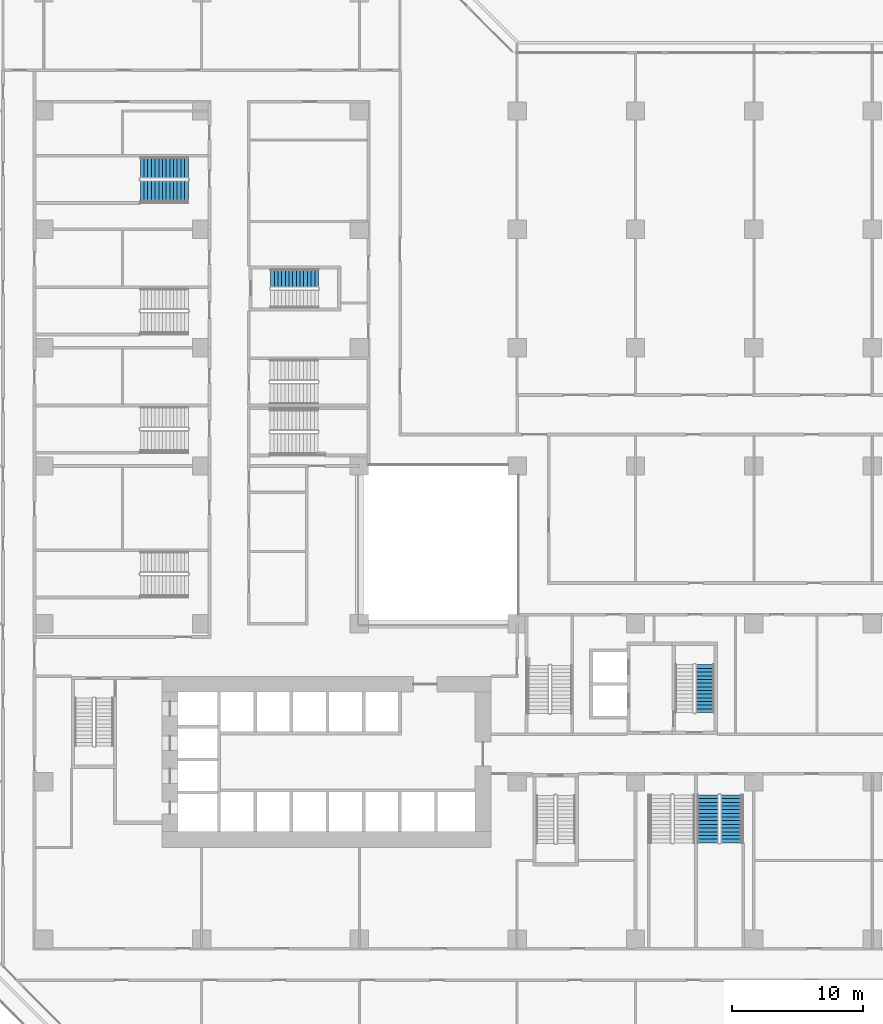
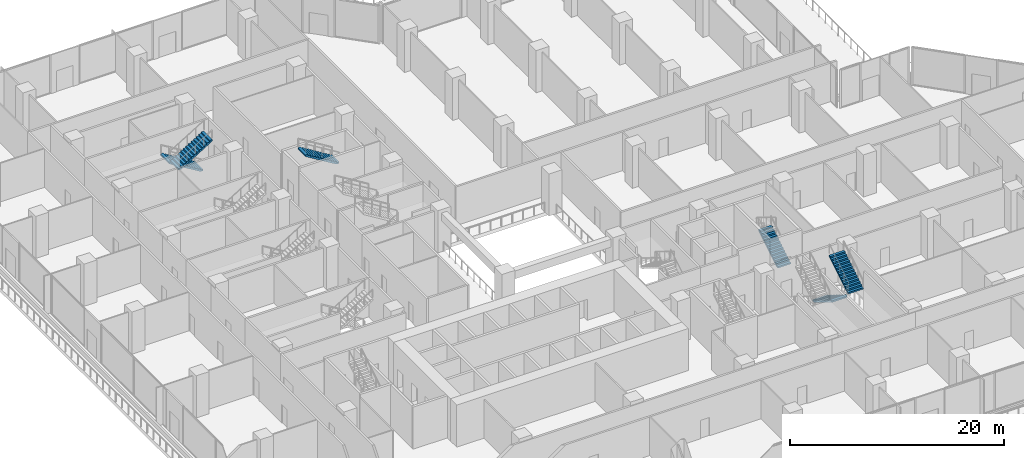
# One storey, part 24 of 31: 6 stair flights, 4 elements without a shape of their own.
"""IFC4 building model written with IfcOpenShell, lengths in metres."""

from ifc_helpers import new_model, si_unit, direction, frame, origin, place, context, subcontext, project, spatial, polyline, outline, extrude, material, type_object, element, aggregate, save


model = new_model("IFC4")

# Units and contexts
model_context = context("Model", 3, precision=1e-05, world=origin(), true_north=direction((0.0, 1.0)))
body_context = subcontext(model_context, "Body", "Model", "MODEL_VIEW")
ifc_project = project(units=[si_unit("LENGTHUNIT", "METRE"), si_unit("AREAUNIT", "SQUARE_METRE"), si_unit("VOLUMEUNIT", "CUBIC_METRE"), si_unit("PLANEANGLEUNIT", "RADIAN"), si_unit("MASSUNIT", "GRAM", prefix="KILO")], contexts=[model_context])

# Site, building, storey
site_placement = place(None, origin())
site = spatial("IfcSite", under=ifc_project, at=site_placement, CompositionType="ELEMENT")
building_placement = place(site_placement, origin())
building = spatial("IfcBuilding", under=site, at=building_placement, Name="Chenar Terraces", CompositionType="ELEMENT")
storey_placement = place(building_placement, frame((0.0, 0.0, 7.199951171875)))
storey = spatial("IfcBuildingStorey", under=building, at=storey_placement, Name="L01", CompositionType="ELEMENT", Elevation=7.199951171875)

# Stair, stair flight
ifc_material_1 = material(Name="Reinforced concrete C40/50", Category="concrete")
stair_type = type_object("IfcStairType", Name="Core stair 1400 half-turn", PredefinedType="HALF_TURN_STAIR", material=ifc_material_1)
placement = place(storey_placement, origin())
stair_1 = element("IfcStair", 1, at=placement, inside=storey, type_object=stair_type, Name="L01 Stair 3", PredefinedType="HALF_TURN_STAIR")
ifc_material_2 = material(Name="Reinforced concrete C40/50", Category="concrete")
stair_flight_type = type_object("IfcStairFlightType", Name="Core stair flight 1400", PredefinedType="STRAIGHT", material=ifc_material_2)
stair_flight_1_placement = place(storey_placement, frame((50.27490234375, 17.25, 0.0), z_axis=(0.0, 0.0, 1.0), x_axis=(0.0, 1.0, 0.0)))
stair_flight_1 = element("IfcStairFlight", 2, at=stair_flight_1_placement, type_object=stair_flight_type, Name="ST3 flight 1", NumberOfRisers=14, NumberOfTreads=13, PredefinedType="STRAIGHT", RiserHeight=0.171428571, TreadLength=0.28, context=body_context, shape_type="SweptSolid", body=[
    extrude(outline(polyline([(-0.0029296875, 0.0), (-0.0029296875, 0.17138671875), (0.0, 0.17138671875), (0.280029296875, 0.17138671875), (0.280029296875, 0.3427734375), (0.56005859375, 0.3427734375), (0.56005859375, 0.514404296875), (0.840087890625, 0.514404296875), (0.840087890625, 0.685791015625), (1.1201171875, 0.685791015625), (1.1201171875, 0.857177734375), (1.39990234375, 0.857177734375), (1.39990234375, 1.028564453125), (1.679931640625, 1.028564453125), (1.679931640625, 1.199951171875), (1.9599609375, 1.199951171875), (1.9599609375, 1.371337890625), (2.239990234375, 1.371337890625), (2.239990234375, 1.54296875), (2.52001953125, 1.54296875), (2.52001953125, 1.71435546875), (2.800048828125, 1.71435546875), (2.800048828125, 1.8857421875), (3.080078125, 1.8857421875), (3.080078125, 2.05712890625), (3.360107421875, 2.05712890625), (3.360107421875, 2.228515625), (3.639892578125, 2.228515625), (3.64306640625, 2.228515625), (3.64306640625, 2.052734375), (3.639892578125, 2.052734375), (0.287109375, 0.0), (-0.0029296875, 0.0)])), frame((0.0, 0.699951171875, 0.0), z_axis=(0.0, -1.0, 0.0), x_axis=(1.0, 0.0, 0.0)), (0.0, 0.0, 1.0), 1.39990234375),
])
aggregate(stair_1, [stair_flight_1])

stair_2 = element("IfcStair", 3, at=placement, inside=storey, type_object=stair_type, Name="L01 Stair 4", PredefinedType="HALF_TURN_STAIR")
stair_flight_2_placement = place(storey_placement, frame((20.889892578125, 50.27490234375, 2.400146484375), z_axis=(0.0, 0.0, 1.0), x_axis=(-1.0, 0.0, 0.0)))
stair_flight_2 = element("IfcStairFlight", 4, at=stair_flight_2_placement, type_object=stair_flight_type, Name="ST4 flight 2", NumberOfRisers=14, NumberOfTreads=13, PredefinedType="STRAIGHT", RiserHeight=0.171428571, TreadLength=0.28, context=body_context, shape_type="SweptSolid", body=[
    extrude(outline(polyline([(-0.0029296875, 0.0), (-0.0029296875, 0.17138671875), (0.0, 0.17138671875), (0.280029296875, 0.17138671875), (0.280029296875, 0.3427734375), (0.56005859375, 0.3427734375), (0.56005859375, 0.514404296875), (0.840087890625, 0.514404296875), (0.840087890625, 0.685791015625), (1.1201171875, 0.685791015625), (1.1201171875, 0.857177734375), (1.39990234375, 0.857177734375), (1.39990234375, 1.028564453125), (1.679931640625, 1.028564453125), (1.679931640625, 1.199951171875), (1.9599609375, 1.199951171875), (1.9599609375, 1.371337890625), (2.239990234375, 1.371337890625), (2.239990234375, 1.54296875), (2.52001953125, 1.54296875), (2.52001953125, 1.71435546875), (2.800048828125, 1.71435546875), (2.800048828125, 1.8857421875), (3.080078125, 1.8857421875), (3.080078125, 2.05712890625), (3.360107421875, 2.05712890625), (3.360107421875, 2.228515625), (3.639892578125, 2.228515625), (3.64306640625, 2.228515625), (3.64306640625, 2.052734375), (3.639892578125, 2.052734375), (0.287109375, 0.0), (-0.0029296875, 0.0)])), frame((0.0, 0.699951171875, 0.0), z_axis=(0.0, -1.0, 0.0), x_axis=(1.0, 0.0, 0.0)), (0.0, 0.0, 1.0), 1.39990234375),
])
aggregate(stair_2, [stair_flight_2])

# Stair, stair flights
stair_3 = element("IfcStair", 5, at=placement, inside=storey, type_object=stair_type, Name="L01 Exit stair PS2", PredefinedType="HALF_TURN_STAIR")
stair_flight_3_placement = place(storey_placement, frame((50.517578125, 10.985107421875, 0.0), z_axis=(0.0, 0.0, 1.0), x_axis=(0.0, -1.0, 0.0)))
stair_flight_3 = element("IfcStairFlight", 6, at=stair_flight_3_placement, type_object=stair_flight_type, Name="PS2 flight 1", NumberOfRisers=14, NumberOfTreads=13, PredefinedType="STRAIGHT", RiserHeight=0.171428571, TreadLength=0.28, context=body_context, shape_type="SweptSolid", body=[
    extrude(outline(polyline([(-0.0029296875, 0.0), (-0.0029296875, 0.17138671875), (0.0, 0.17138671875), (0.280029296875, 0.17138671875), (0.280029296875, 0.3427734375), (0.56005859375, 0.3427734375), (0.56005859375, 0.514404296875), (0.840087890625, 0.514404296875), (0.840087890625, 0.685791015625), (1.1201171875, 0.685791015625), (1.1201171875, 0.857177734375), (1.39990234375, 0.857177734375), (1.39990234375, 1.028564453125), (1.679931640625, 1.028564453125), (1.679931640625, 1.199951171875), (1.9599609375, 1.199951171875), (1.9599609375, 1.371337890625), (2.239990234375, 1.371337890625), (2.239990234375, 1.54296875), (2.52001953125, 1.54296875), (2.52001953125, 1.71435546875), (2.800048828125, 1.71435546875), (2.800048828125, 1.8857421875), (3.080078125, 1.8857421875), (3.080078125, 2.05712890625), (3.360107421875, 2.05712890625), (3.360107421875, 2.228515625), (3.639892578125, 2.228515625), (3.64306640625, 2.228515625), (3.64306640625, 2.052734375), (3.639892578125, 2.052734375), (0.287109375, 0.0), (-0.0029296875, 0.0)])), frame((0.0, 0.8076171875, 0.0), z_axis=(0.0, -1.0, 0.0), x_axis=(1.0, 0.0, 0.0)), (0.0, 0.0, 1.0), 1.614990234375),
])
stair_flight_4_placement = place(storey_placement, frame((52.282470703125, 7.344970703125, 2.400146484375), z_axis=(0.0, 0.0, 1.0), x_axis=(0.0, 1.0, 0.0)))
stair_flight_4 = element("IfcStairFlight", 7, at=stair_flight_4_placement, type_object=stair_flight_type, Name="PS2 flight 2", NumberOfRisers=14, NumberOfTreads=13, PredefinedType="STRAIGHT", RiserHeight=0.171428571, TreadLength=0.28, context=body_context, shape_type="SweptSolid", body=[
    extrude(outline(polyline([(-0.0029296875, 0.0), (-0.0029296875, 0.17138671875), (0.0, 0.17138671875), (0.280029296875, 0.17138671875), (0.280029296875, 0.3427734375), (0.56005859375, 0.3427734375), (0.56005859375, 0.514404296875), (0.840087890625, 0.514404296875), (0.840087890625, 0.685791015625), (1.1201171875, 0.685791015625), (1.1201171875, 0.857177734375), (1.39990234375, 0.857177734375), (1.39990234375, 1.028564453125), (1.679931640625, 1.028564453125), (1.679931640625, 1.199951171875), (1.9599609375, 1.199951171875), (1.9599609375, 1.371337890625), (2.239990234375, 1.371337890625), (2.239990234375, 1.54296875), (2.52001953125, 1.54296875), (2.52001953125, 1.71435546875), (2.800048828125, 1.71435546875), (2.800048828125, 1.8857421875), (3.080078125, 1.8857421875), (3.080078125, 2.05712890625), (3.360107421875, 2.05712890625), (3.360107421875, 2.228515625), (3.639892578125, 2.228515625), (3.64306640625, 2.228515625), (3.64306640625, 2.052734375), (3.639892578125, 2.052734375), (0.287109375, 0.0), (-0.0029296875, 0.0)])), frame((0.0, 0.8076171875, 0.0), z_axis=(0.0, -1.0, 0.0), x_axis=(1.0, 0.0, 0.0)), (0.0, 0.0, 1.0), 1.614990234375),
])
aggregate(stair_3, [stair_flight_3, stair_flight_4])

stair_4 = element("IfcStair", 8, at=placement, inside=storey, type_object=stair_type, Name="L01 Exit stair PS3", PredefinedType="HALF_TURN_STAIR")
stair_flight_5_placement = place(storey_placement, frame((10.985107421875, 58.6826171875, 0.0), z_axis=(0.0, 0.0, 1.0), x_axis=(-1.0, 0.0, 0.0)))
stair_flight_5 = element("IfcStairFlight", 9, at=stair_flight_5_placement, type_object=stair_flight_type, Name="PS3 flight 1", NumberOfRisers=14, NumberOfTreads=13, PredefinedType="STRAIGHT", RiserHeight=0.171428571, TreadLength=0.28, context=body_context, shape_type="SweptSolid", body=[
    extrude(outline(polyline([(-0.0029296875, 0.0), (-0.0029296875, 0.17138671875), (0.0, 0.17138671875), (0.280029296875, 0.17138671875), (0.280029296875, 0.3427734375), (0.56005859375, 0.3427734375), (0.56005859375, 0.514404296875), (0.840087890625, 0.514404296875), (0.840087890625, 0.685791015625), (1.1201171875, 0.685791015625), (1.1201171875, 0.857177734375), (1.39990234375, 0.857177734375), (1.39990234375, 1.028564453125), (1.679931640625, 1.028564453125), (1.679931640625, 1.199951171875), (1.9599609375, 1.199951171875), (1.9599609375, 1.371337890625), (2.239990234375, 1.371337890625), (2.239990234375, 1.54296875), (2.52001953125, 1.54296875), (2.52001953125, 1.71435546875), (2.800048828125, 1.71435546875), (2.800048828125, 1.8857421875), (3.080078125, 1.8857421875), (3.080078125, 2.05712890625), (3.360107421875, 2.05712890625), (3.360107421875, 2.228515625), (3.639892578125, 2.228515625), (3.64306640625, 2.228515625), (3.64306640625, 2.052734375), (3.639892578125, 2.052734375), (0.287109375, 0.0), (-0.0029296875, 0.0)])), frame((0.0, 0.8076171875, 0.0), z_axis=(0.0, -1.0, 0.0), x_axis=(1.0, 0.0, 0.0)), (0.0, 0.0, 1.0), 1.614990234375),
])
stair_flight_6_placement = place(storey_placement, frame((7.344970703125, 56.91748046875, 2.400146484375), z_axis=(0.0, 0.0, 1.0), x_axis=(1.0, 0.0, 0.0)))
stair_flight_6 = element("IfcStairFlight", 10, at=stair_flight_6_placement, type_object=stair_flight_type, Name="PS3 flight 2", NumberOfRisers=14, NumberOfTreads=13, PredefinedType="STRAIGHT", RiserHeight=0.171428571, TreadLength=0.28, context=body_context, shape_type="SweptSolid", body=[
    extrude(outline(polyline([(-0.0029296875, 0.0), (-0.0029296875, 0.17138671875), (0.0, 0.17138671875), (0.280029296875, 0.17138671875), (0.280029296875, 0.3427734375), (0.56005859375, 0.3427734375), (0.56005859375, 0.514404296875), (0.840087890625, 0.514404296875), (0.840087890625, 0.685791015625), (1.1201171875, 0.685791015625), (1.1201171875, 0.857177734375), (1.39990234375, 0.857177734375), (1.39990234375, 1.028564453125), (1.679931640625, 1.028564453125), (1.679931640625, 1.199951171875), (1.9599609375, 1.199951171875), (1.9599609375, 1.371337890625), (2.239990234375, 1.371337890625), (2.239990234375, 1.54296875), (2.52001953125, 1.54296875), (2.52001953125, 1.71435546875), (2.800048828125, 1.71435546875), (2.800048828125, 1.8857421875), (3.080078125, 1.8857421875), (3.080078125, 2.05712890625), (3.360107421875, 2.05712890625), (3.360107421875, 2.228515625), (3.639892578125, 2.228515625), (3.64306640625, 2.228515625), (3.64306640625, 2.052734375), (3.639892578125, 2.052734375), (0.287109375, 0.0), (-0.0029296875, 0.0)])), frame((0.0, 0.8076171875, 0.0), z_axis=(0.0, -1.0, 0.0), x_axis=(1.0, 0.0, 0.0)), (0.0, 0.0, 1.0), 1.614990234375),
])
aggregate(stair_4, [stair_flight_5, stair_flight_6])

save(model, "model.ifc")
